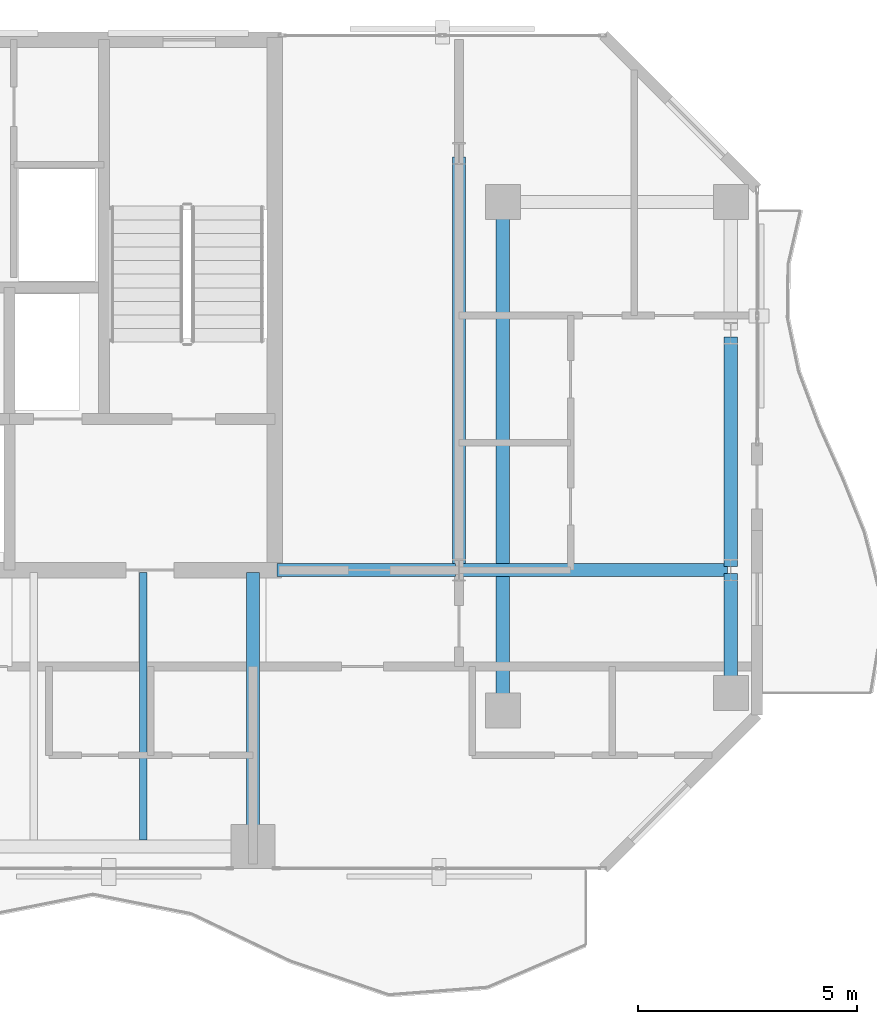
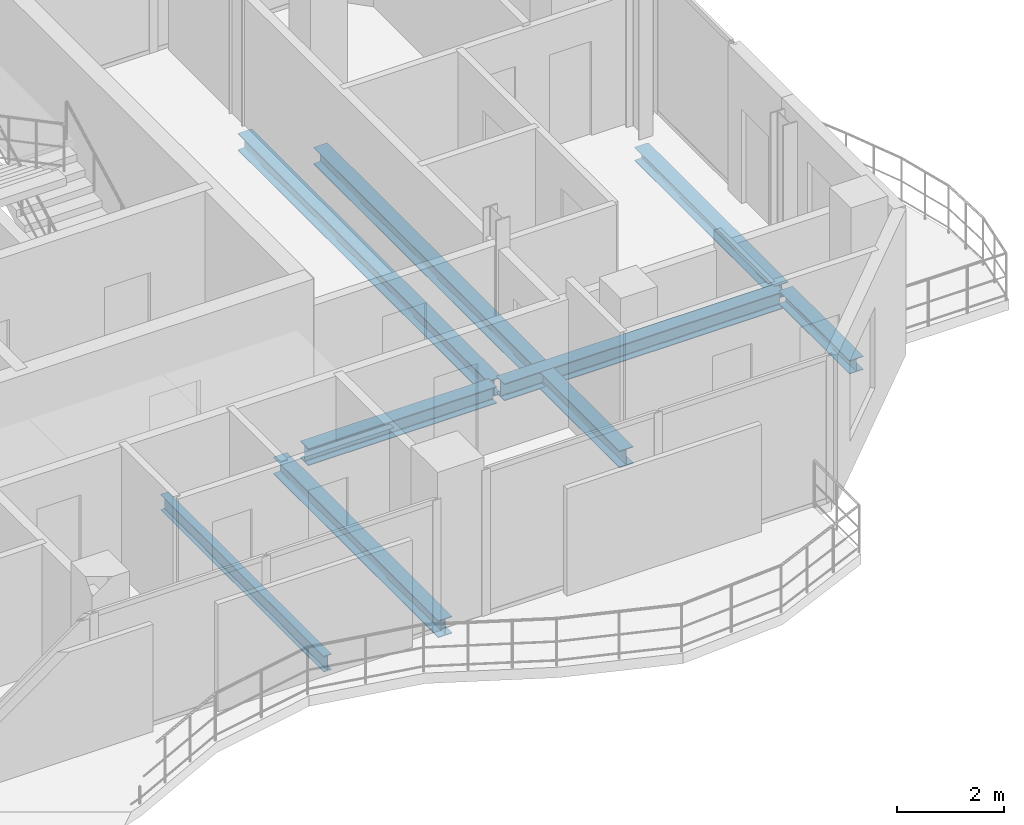
# One storey, part 13 of 24: 8 beams.
"""IFC4 building model written with IfcOpenShell, lengths in metres."""

from ifc_helpers import new_model, si_unit, direction, frame, origin, origin_2d, place, context, subcontext, project, spatial, i_section, extrude, material, material_profile, profile_set, type_object, element, save


model = new_model("IFC4")

# Units and contexts
model_context = context("Model", 3, precision=1e-05, world=origin(), true_north=direction((0.0, 1.0)))
body_context = subcontext(model_context, "Body", "Model", "MODEL_VIEW")
ifc_project = project(units=[si_unit("LENGTHUNIT", "METRE"), si_unit("AREAUNIT", "SQUARE_METRE"), si_unit("VOLUMEUNIT", "CUBIC_METRE"), si_unit("PLANEANGLEUNIT", "RADIAN"), si_unit("MASSUNIT", "GRAM", prefix="KILO")], contexts=[model_context])

# Site, building, storey
site_placement = place(None, origin())
site = spatial("IfcSite", under=ifc_project, at=site_placement, CompositionType="ELEMENT")
building_placement = place(site_placement, origin())
building = spatial("IfcBuilding", under=site, at=building_placement, Name="Catumbela Crestline Tower", CompositionType="ELEMENT")
storey_placement = place(building_placement, frame((0.0, 0.0, 154.2)))
storey = spatial("IfcBuildingStorey", under=building, at=storey_placement, Name="L39", CompositionType="ELEMENT", Elevation=154.2)

# Beams
ifc_material = material(Name="Structural steel S355J2", Category="steel")
ifc_material_profile_1 = material_profile(ifc_material, i_section(OverallWidth=0.3, OverallDepth=0.39, WebThickness=0.011, FlangeThickness=0.019, FilletRadius=0.027, at=origin_2d()), Name="HEA 400")
ifc_profile_set_1 = profile_set([ifc_material_profile_1], Name="Structural steel S355J2")
beam_type_1 = type_object("IfcBeamType", Name="BG-HEA400", PredefinedType="BEAM", material=ifc_profile_set_1)
beam_1_placement = place(storey_placement, frame((40.05, 30.8, -0.455), z_axis=(1.0, 0.0, 0.0), x_axis=(0.0, 1.0, 0.0)))
element("IfcBeam", 1, at=beam_1_placement, inside=storey, type_object=beam_type_1, Name="L39 Beam BM-L39-M08", PredefinedType="BEAM", context=body_context, shape_type="SweptSolid", body=[
    extrude(i_section(OverallWidth=0.3, OverallDepth=0.39, WebThickness=0.011, FlangeThickness=0.019, FilletRadius=0.027, at=origin_2d()), origin(), (0.0, 0.0, 1.0), 4.07),
])
beam_2_placement = place(storey_placement, frame((44.28, 30.8, -0.455), z_axis=(1.0, 0.0, 0.0), x_axis=(0.0, 1.0, 0.0)))
element("IfcBeam", 2, at=beam_2_placement, inside=storey, type_object=beam_type_1, Name="L39 Beam BM-L39-M09", PredefinedType="BEAM", context=body_context, shape_type="SweptSolid", body=[
    extrude(i_section(OverallWidth=0.3, OverallDepth=0.39, WebThickness=0.011, FlangeThickness=0.019, FilletRadius=0.027, at=origin_2d()), origin(), (0.0, 0.0, 1.0), 6.04),
])
beam_3_placement = place(storey_placement, frame((39.5, 24.58, -0.455), z_axis=(0.0, 1.0, 0.0), x_axis=(-1.0, 0.0, 0.0)))
element("IfcBeam", 3, at=beam_3_placement, inside=storey, type_object=beam_type_1, Name="L39 Beam BM-L39-SNS20", PredefinedType="BEAM", context=body_context, shape_type="SweptSolid", body=[
    extrude(i_section(OverallWidth=0.3, OverallDepth=0.39, WebThickness=0.011, FlangeThickness=0.019, FilletRadius=0.027, at=origin_2d()), origin(), (0.0, 0.0, 1.0), 6.17),
])
beam_4_placement = place(storey_placement, frame((44.2, 30.88, -0.455), z_axis=(0.0, 1.0, 0.0), x_axis=(-1.0, 0.0, 0.0)))
element("IfcBeam", 4, at=beam_4_placement, inside=storey, type_object=beam_type_1, Name="L39 Beam BM-L39-SN21", PredefinedType="BEAM", context=body_context, shape_type="SweptSolid", body=[
    extrude(i_section(OverallWidth=0.3, OverallDepth=0.39, WebThickness=0.011, FlangeThickness=0.019, FilletRadius=0.027, at=origin_2d()), origin(), (0.0, 0.0, 1.0), 9.34),
])
beam_5_placement = place(storey_placement, frame((45.2, 27.68, -0.455), z_axis=(0.0, 1.0, 0.0), x_axis=(-1.0, 0.0, 0.0)))
element("IfcBeam", 5, at=beam_5_placement, inside=storey, type_object=beam_type_1, Name="L39 Beam BM-L39-SN22", PredefinedType="BEAM", context=body_context, shape_type="SweptSolid", body=[
    extrude(i_section(OverallWidth=0.3, OverallDepth=0.39, WebThickness=0.011, FlangeThickness=0.019, FilletRadius=0.027, at=origin_2d()), origin(), (0.0, 0.0, 1.0), 11.44),
])
ifc_material_profile_2 = material_profile(ifc_material, i_section(OverallWidth=0.17, OverallDepth=0.36, WebThickness=0.008, FlangeThickness=0.0127, FilletRadius=0.018, at=origin_2d()), Name="IPE 360")
ifc_profile_set_2 = profile_set([ifc_material_profile_2], Name="Structural steel S355J2")
beam_type_2 = type_object("IfcBeamType", Name="BJ-IPE360", PredefinedType="JOIST", material=ifc_profile_set_2)
beam_6_placement = place(storey_placement, frame((37.0, 24.647, -0.44), z_axis=(0.0, 1.0, 0.0), x_axis=(-1.0, 0.0, 0.0)))
element("IfcBeam", 6, at=beam_6_placement, inside=storey, type_object=beam_type_2, Name="L39 Joist JS-L39-SP31", PredefinedType="JOIST", context=body_context, shape_type="SweptSolid", body=[
    extrude(i_section(OverallWidth=0.17, OverallDepth=0.36, WebThickness=0.008, FlangeThickness=0.0127, FilletRadius=0.018, at=origin_2d()), origin(), (0.0, 0.0, 1.0), 6.103),
])
ifc_material_profile_3 = material_profile(ifc_material, i_section(OverallWidth=0.3, OverallDepth=0.31, WebThickness=0.009, FlangeThickness=0.0155, FilletRadius=0.027, at=origin_2d()), Name="HEA 320")
ifc_profile_set_3 = profile_set([ifc_material_profile_3], Name="Structural steel S355J2")
beam_type_3 = type_object("IfcBeamType", Name="BS-HEA320", PredefinedType="SPANDREL", material=ifc_profile_set_3)
beam_7_placement = place(storey_placement, frame((50.4, 28.08, -0.415), z_axis=(0.0, 1.0, 0.0), x_axis=(-1.0, 0.0, 0.0)))
element("IfcBeam", 7, at=beam_7_placement, inside=storey, type_object=beam_type_3, Name="L39 Spandrel SP-L39-SN23", PredefinedType="SPANDREL", context=body_context, shape_type="SweptSolid", body=[
    extrude(i_section(OverallWidth=0.3, OverallDepth=0.31, WebThickness=0.009, FlangeThickness=0.0155, FilletRadius=0.027, at=origin_2d()), origin(), (0.0, 0.0, 1.0), 2.64),
])
beam_8_placement = place(storey_placement, frame((50.4, 30.88, -0.415), z_axis=(0.0, 1.0, 0.0), x_axis=(-1.0, 0.0, 0.0)))
element("IfcBeam", 8, at=beam_8_placement, inside=storey, type_object=beam_type_3, Name="L39 Spandrel SP-L39-SN24", PredefinedType="SPANDREL", context=body_context, shape_type="SweptSolid", body=[
    extrude(i_section(OverallWidth=0.3, OverallDepth=0.31, WebThickness=0.009, FlangeThickness=0.0155, FilletRadius=0.027, at=origin_2d()), origin(), (0.0, 0.0, 1.0), 5.24),
])

save(model, "model.ifc")
